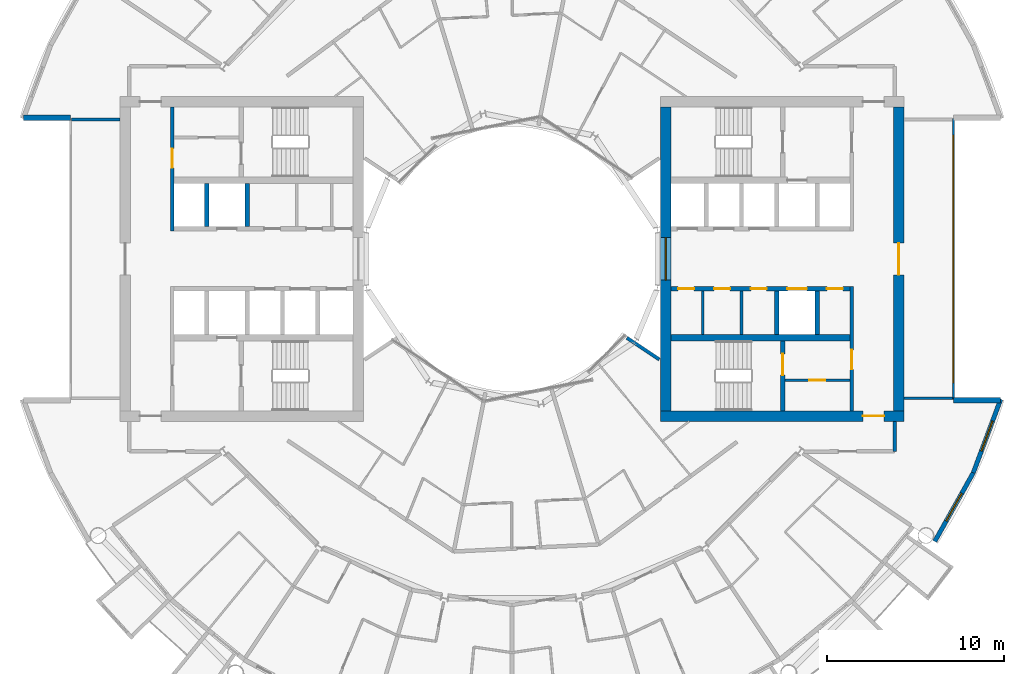
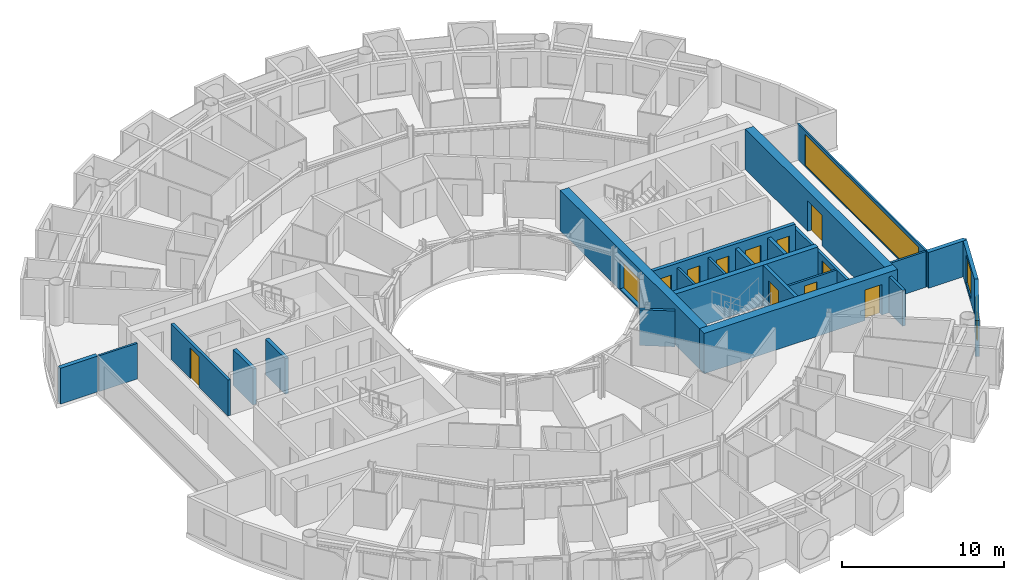
# One storey, part 18 of 26: 24 walls, 11 doors, 4 windows, 15 openings.
"""IFC4 building model written with IfcOpenShell, lengths in metres."""

from ifc_helpers import new_model, si_unit, direction, frame, frame_2d, origin, place, context, subcontext, project, spatial, rectangle, extrude, material, layer, layer_set, type_object, element, fill, save


model = new_model("IFC4")

# Units and contexts
model_context = context("Model", 3, precision=1e-05, world=origin(), true_north=direction((0.0, 1.0)))
body_context = subcontext(model_context, "Body", "Model", "MODEL_VIEW")
ifc_project = project(units=[si_unit("LENGTHUNIT", "METRE"), si_unit("AREAUNIT", "SQUARE_METRE"), si_unit("VOLUMEUNIT", "CUBIC_METRE"), si_unit("PLANEANGLEUNIT", "RADIAN"), si_unit("MASSUNIT", "GRAM", prefix="KILO")], contexts=[model_context])

# Site, building, storey
site_placement = place(None, origin())
site = spatial("IfcSite", under=ifc_project, at=site_placement, CompositionType="ELEMENT")
building_placement = place(site_placement, origin())
building = spatial("IfcBuilding", under=site, at=building_placement, Name="Maasbend Ring Residences", CompositionType="ELEMENT")
storey_placement = place(building_placement, frame((0.0, 0.0, 123.85009765625)))
storey = spatial("IfcBuildingStorey", under=building, at=storey_placement, Name="L35", CompositionType="ELEMENT", Elevation=123.85009765625)

# Wall, openings, doors
ifc_material_1 = material(Name="Concrete C60/75", Category="concrete")
ifc_layer_1 = layer(ifc_material_1, 0.25)
ifc_layer_set_1 = layer_set([ifc_layer_1], Name="Concrete C60/75")
wall_type_1 = type_object("IfcWallType", Name="CORE WALL 250 C60/75", PredefinedType="SHEAR", material=ifc_layer_set_1)
wall_1_placement = place(storey_placement, frame((19.14990234375, -1.699951171875, 0.0), z_axis=(0.0, 0.0, 1.0), x_axis=(-1.0, 0.0, 0.0)))
wall_1 = element("IfcWall", 1, at=wall_1_placement, inside=storey, type_object=wall_type_1, Name="L35 core E wall SPS", PredefinedType="SHEAR", context=body_context, shape_type="SweptSolid", body=[
    extrude(rectangle(XDim=10.14990234375, YDim=0.25, at=frame_2d((5.074951171875, 0.0))), origin(), (0.0, 0.0, 1.0), 3.0498046875),
])
opening_1_placement = place(wall_1_placement, frame((2.449951171875, 0.0, 0.0)))
opening_1 = element("IfcOpeningElement", 2, at=opening_1_placement, cuts=wall_1, Name="Opening LD-E3505", PredefinedType="OPENING", context=body_context, shape_type="SweptSolid", body=[
    extrude(rectangle(XDim=1.10009765625, YDim=2.300048828125, at=frame_2d((0.550048828125, 1.14990234375))), frame((0.0, 0.135009765625, 0.0), z_axis=(0.0, -1.0, 0.0), x_axis=(1.0, 0.0, 0.0)), (0.0, 0.0, 1.0), 0.27001953125),
])
opening_2_placement = place(wall_1_placement, frame((8.83740234375, 0.0, 0.0)))
opening_2 = element("IfcOpeningElement", 3, at=opening_2_placement, cuts=wall_1, Name="Opening D-E3506", PredefinedType="OPENING", context=body_context, shape_type="SweptSolid", body=[
    extrude(rectangle(XDim=0.89990234375, YDim=2.300048828125, at=frame_2d((0.449951171875, 1.14990234375))), frame((0.0, 0.135009765625, 0.0), z_axis=(0.0, -1.0, 0.0), x_axis=(1.0, 0.0, 0.0)), (0.0, 0.0, 1.0), 0.27001953125),
])
opening_3_placement = place(wall_1_placement, frame((6.800048828125, 0.0, 0.0)))
opening_3 = element("IfcOpeningElement", 4, at=opening_3_placement, cuts=wall_1, Name="Opening D-E3507", PredefinedType="OPENING", context=body_context, shape_type="SweptSolid", body=[
    extrude(rectangle(XDim=0.89990234375, YDim=2.300048828125, at=frame_2d((0.449951171875, 1.14990234375))), frame((0.0, 0.135009765625, 0.0), z_axis=(0.0, -1.0, 0.0), x_axis=(1.0, 0.0, 0.0)), (0.0, 0.0, 1.0), 0.27001953125),
])
opening_4_placement = place(wall_1_placement, frame((4.72509765625, 0.0, 0.0)))
opening_4 = element("IfcOpeningElement", 5, at=opening_4_placement, cuts=wall_1, Name="Opening D-E3508", PredefinedType="OPENING", context=body_context, shape_type="SweptSolid", body=[
    extrude(rectangle(XDim=0.89990234375, YDim=2.300048828125, at=frame_2d((0.449951171875, 1.14990234375))), frame((0.0, 0.135009765625, 0.0), z_axis=(0.0, -1.0, 0.0), x_axis=(1.0, 0.0, 0.0)), (0.0, 0.0, 1.0), 0.27001953125),
])
opening_5_placement = place(wall_1_placement, frame((0.41259765625, 0.0, 0.0)))
opening_5 = element("IfcOpeningElement", 6, at=opening_5_placement, cuts=wall_1, Name="Opening D-E3509", PredefinedType="OPENING", context=body_context, shape_type="SweptSolid", body=[
    extrude(rectangle(XDim=0.89990234375, YDim=2.300048828125, at=frame_2d((0.449951171875, 1.14990234375))), frame((0.0, 0.135009765625, 0.0), z_axis=(0.0, -1.0, 0.0), x_axis=(1.0, 0.0, 0.0)), (0.0, 0.0, 1.0), 0.27001953125),
])
ifc_material_2 = material(Name="Stainless steel 316", Category="steel")
door_type_1 = type_object("IfcDoorType", Name="LANDING DOOR 1100 X 2300 FD60", OperationType="DOUBLE_DOOR_SLIDING", PredefinedType="DOOR", material=ifc_material_2)
door_1_placement = place(opening_1_placement, origin())
door_1 = element("IfcDoor", 7, at=door_1_placement, inside=storey, type_object=door_type_1, Name="Landing door SV-E L35", OperationType="DOUBLE_DOOR_SLIDING", OverallHeight=2.300048828125, OverallWidth=1.10009765625, PredefinedType="DOOR", context=body_context, shape_type="SweptSolid", body=[
    extrude(rectangle(XDim=1.10009765625, YDim=2.300048828125, at=frame_2d((0.550048828125, 1.14990234375))), frame((0.0, 0.02490234375, 0.0), z_axis=(0.0, -1.0, 0.0), x_axis=(1.0, 0.0, 0.0)), (0.0, 0.0, 1.0), 0.050048828125),
])
fill(opening_1, door_1)
ifc_material_3 = material(Name="Steel, powder coated", Category="steel")
door_type_2 = type_object("IfcDoorType", Name="ROOM DOOR 900 X 2300 FD30S", OperationType="NOTDEFINED", PredefinedType="DOOR", material=ifc_material_3)
door_2_placement = place(opening_2_placement, origin())
door_2 = element("IfcDoor", 8, at=door_2_placement, inside=storey, type_object=door_type_2, Name="Room door L35", OperationType="SINGLE_SWING_LEFT", OverallHeight=2.300048828125, OverallWidth=0.89990234375, PredefinedType="DOOR", context=body_context, shape_type="SweptSolid", body=[
    extrude(rectangle(XDim=0.89990234375, YDim=2.300048828125, at=frame_2d((0.449951171875, 1.14990234375))), frame((0.0, 0.02490234375, 0.0), z_axis=(0.0, -1.0, 0.0), x_axis=(1.0, 0.0, 0.0)), (0.0, 0.0, 1.0), 0.050048828125),
])
fill(opening_2, door_2)
door_3_placement = place(opening_3_placement, origin())
door_3 = element("IfcDoor", 9, at=door_3_placement, inside=storey, type_object=door_type_2, Name="Room door L35", OperationType="SINGLE_SWING_LEFT", OverallHeight=2.300048828125, OverallWidth=0.89990234375, PredefinedType="DOOR", context=body_context, shape_type="SweptSolid", body=[
    extrude(rectangle(XDim=0.89990234375, YDim=2.300048828125, at=frame_2d((0.449951171875, 1.14990234375))), frame((0.0, 0.02490234375, 0.0), z_axis=(0.0, -1.0, 0.0), x_axis=(1.0, 0.0, 0.0)), (0.0, 0.0, 1.0), 0.050048828125),
])
fill(opening_3, door_3)
door_4_placement = place(opening_4_placement, origin())
door_4 = element("IfcDoor", 10, at=door_4_placement, inside=storey, type_object=door_type_2, Name="Room door L35", OperationType="SINGLE_SWING_LEFT", OverallHeight=2.300048828125, OverallWidth=0.89990234375, PredefinedType="DOOR", context=body_context, shape_type="SweptSolid", body=[
    extrude(rectangle(XDim=0.89990234375, YDim=2.300048828125, at=frame_2d((0.449951171875, 1.14990234375))), frame((0.0, 0.02490234375, 0.0), z_axis=(0.0, -1.0, 0.0), x_axis=(1.0, 0.0, 0.0)), (0.0, 0.0, 1.0), 0.050048828125),
])
fill(opening_4, door_4)
door_5_placement = place(opening_5_placement, origin())
door_5 = element("IfcDoor", 11, at=door_5_placement, inside=storey, type_object=door_type_2, Name="Room door L35", OperationType="SINGLE_SWING_RIGHT", OverallHeight=2.300048828125, OverallWidth=0.89990234375, PredefinedType="DOOR", context=body_context, shape_type="SweptSolid", body=[
    extrude(rectangle(XDim=0.89990234375, YDim=2.300048828125, at=frame_2d((0.449951171875, 1.14990234375))), frame((0.0, 0.02490234375, 0.0), z_axis=(0.0, -1.0, 0.0), x_axis=(1.0, 0.0, 0.0)), (0.0, 0.0, 1.0), 0.050048828125),
])
fill(opening_5, door_5)

# Wall, opening, door
wall_2_placement = place(storey_placement, frame((15.324951171875, -8.60009765625, 0.0), z_axis=(0.0, 0.0, 1.0), x_axis=(0.0, 1.0, 0.0)))
wall_2 = element("IfcWall", 12, at=wall_2_placement, inside=storey, type_object=wall_type_1, Name="L35 core E wall STES", PredefinedType="SHEAR", context=body_context, shape_type="SweptSolid", body=[
    extrude(rectangle(XDim=3.9501953125, YDim=0.25, at=frame_2d((1.97509765625, 0.0))), origin(), (0.0, 0.0, 1.0), 3.0498046875),
])
opening_6_placement = place(wall_2_placement, frame((2.02490234375, 0.0, 0.0)))
opening_6 = element("IfcOpeningElement", 13, at=opening_6_placement, cuts=wall_2, Name="Opening D-E3512", PredefinedType="OPENING", context=body_context, shape_type="SweptSolid", body=[
    extrude(rectangle(XDim=1.199951171875, YDim=2.300048828125, at=frame_2d((0.60009765625, 1.14990234375))), frame((0.0, 0.135009765625, 0.0), z_axis=(0.0, -1.0, 0.0), x_axis=(1.0, 0.0, 0.0)), (0.0, 0.0, 1.0), 0.27001953125),
])
ifc_material_4 = material(Name="Steel, powder coated", Category="steel")
door_type_3 = type_object("IfcDoorType", Name="STAIR DOOR 1200 X 2300 FD60", OperationType="NOTDEFINED", PredefinedType="DOOR", material=ifc_material_4)
door_6_placement = place(opening_6_placement, origin())
door_6 = element("IfcDoor", 14, at=door_6_placement, inside=storey, type_object=door_type_3, Name="Stair door ST-E L35", OperationType="SINGLE_SWING_LEFT", OverallHeight=2.300048828125, OverallWidth=1.199951171875, PredefinedType="DOOR", context=body_context, shape_type="SweptSolid", body=[
    extrude(rectangle(XDim=1.199951171875, YDim=2.300048828125, at=frame_2d((0.60009765625, 1.14990234375))), frame((0.0, 0.02490234375, 0.0), z_axis=(0.0, -1.0, 0.0), x_axis=(1.0, 0.0, 0.0)), (0.0, 0.0, 1.0), 0.050048828125),
])
fill(opening_6, door_6)

# Wall
ifc_material_5 = material(Name="Concrete C60/75", Category="concrete")
ifc_layer_2 = layer(ifc_material_5, 0.375)
ifc_layer_set_2 = layer_set([ifc_layer_2], Name="Concrete C60/75")
wall_type_2 = type_object("IfcWallType", Name="CORE WALL 375 C60/75", PredefinedType="SHEAR", material=ifc_layer_set_2)
wall_3_placement = place(storey_placement, frame((9.0, -4.46240234375, 0.0), z_axis=(0.0, 0.0, 1.0), x_axis=(1.0, 0.0, 0.0)))
element("IfcWall", 15, at=wall_3_placement, inside=storey, type_object=wall_type_2, Name="L35 core E wall BS", PredefinedType="SHEAR", context=body_context, shape_type="SweptSolid", body=[
    extrude(rectangle(XDim=10.14990234375, YDim=0.375, at=frame_2d((5.074951171875, 0.0))), origin(), (0.0, 0.0, 1.0), 3.0498046875),
])

# Wall, opening, door
ifc_material_6 = material(Name="Concrete C60/75", Category="concrete")
ifc_layer_3 = layer(ifc_material_6, 0.60009765625)
ifc_layer_set_3 = layer_set([ifc_layer_3], Name="Concrete C60/75")
wall_type_3 = type_object("IfcWallType", Name="CORE WALL 600 C60/75", PredefinedType="SHEAR", material=ifc_layer_set_3)
wall_4_placement = place(storey_placement, frame((8.39990234375, -8.89990234375, 0.0), z_axis=(0.0, 0.0, 1.0), x_axis=(1.0, 0.0, 0.0)))
wall_4 = element("IfcWall", 16, at=wall_4_placement, inside=storey, type_object=wall_type_3, Name="L35 core E wall PS", PredefinedType="SHEAR", context=body_context, shape_type="SweptSolid", body=[
    extrude(rectangle(XDim=13.800048828125, YDim=0.60009765625, at=frame_2d((6.89990234375, 0.0))), origin(), (0.0, 0.0, 1.0), 3.0498046875),
])
opening_7_placement = place(wall_4_placement, frame((11.47509765625, 0.0, 0.0)))
opening_7 = element("IfcOpeningElement", 17, at=opening_7_placement, cuts=wall_4, Name="Opening D-E3516", PredefinedType="OPENING", context=body_context, shape_type="SweptSolid", body=[
    extrude(rectangle(XDim=1.199951171875, YDim=2.300048828125, at=frame_2d((0.60009765625, 1.14990234375))), frame((0.0, 0.31005859375, 0.0), z_axis=(0.0, -1.0, 0.0), x_axis=(1.0, 0.0, 0.0)), (0.0, 0.0, 1.0), 0.6201171875),
])
ifc_material_7 = material(Name="Steel, powder coated", Category="steel")
door_type_4 = type_object("IfcDoorType", Name="CORRIDOR DOOR 1200 X 2300 FD30S", OperationType="NOTDEFINED", PredefinedType="DOOR", material=ifc_material_7)
door_7_placement = place(opening_7_placement, origin())
door_7 = element("IfcDoor", 18, at=door_7_placement, inside=storey, type_object=door_type_4, Name="Corridor door L35", OperationType="SINGLE_SWING_LEFT", OverallHeight=2.300048828125, OverallWidth=1.199951171875, PredefinedType="DOOR", context=body_context, shape_type="SweptSolid", body=[
    extrude(rectangle(XDim=1.199951171875, YDim=2.300048828125, at=frame_2d((0.60009765625, 1.14990234375))), frame((0.0, 0.02490234375, 0.0), z_axis=(0.0, -1.0, 0.0), x_axis=(1.0, 0.0, 0.0)), (0.0, 0.0, 1.0), 0.050048828125),
])
fill(opening_7, door_7)

wall_5_placement = place(storey_placement, frame((21.89990234375, 8.60009765625, 0.0), z_axis=(0.0, 0.0, 1.0), x_axis=(0.0, -1.0, 0.0)))
wall_5 = element("IfcWall", 19, at=wall_5_placement, inside=storey, type_object=wall_type_3, Name="L35 core E wall POUT", PredefinedType="SHEAR", context=body_context, shape_type="SweptSolid", body=[
    extrude(rectangle(XDim=17.2001953125, YDim=0.60009765625, at=frame_2d((8.60009765625, 0.0))), origin(), (0.0, 0.0, 1.0), 3.0498046875),
])
opening_8_placement = place(wall_5_placement, frame((7.699951171875, 0.0, 0.0)))
opening_8 = element("IfcOpeningElement", 20, at=opening_8_placement, cuts=wall_5, Name="Opening D-E3517", PredefinedType="OPENING", context=body_context, shape_type="SweptSolid", body=[
    extrude(rectangle(XDim=1.800048828125, YDim=2.300048828125, at=frame_2d((0.89990234375, 1.14990234375))), frame((0.0, 0.31005859375, 0.0), z_axis=(0.0, -1.0, 0.0), x_axis=(1.0, 0.0, 0.0)), (0.0, 0.0, 1.0), 0.6201171875),
])
ifc_material_8 = material(Name="Aluminium frame, clear glass", Category="aluminium")
door_type_5 = type_object("IfcDoorType", Name="ENTRANCE DOOR 1800 X 2300 FD60", OperationType="NOTDEFINED", PredefinedType="DOOR", material=ifc_material_8)
door_8_placement = place(opening_8_placement, origin())
door_8 = element("IfcDoor", 21, at=door_8_placement, inside=storey, type_object=door_type_5, Name="Lobby glazed door L35", OperationType="SINGLE_SWING_LEFT", OverallHeight=2.300048828125, OverallWidth=1.800048828125, PredefinedType="DOOR", context=body_context, shape_type="SweptSolid", body=[
    extrude(rectangle(XDim=1.800048828125, YDim=2.300048828125, at=frame_2d((0.89990234375, 1.14990234375))), frame((0.0, 0.02490234375, 0.0), z_axis=(0.0, -1.0, 0.0), x_axis=(1.0, 0.0, 0.0)), (0.0, 0.0, 1.0), 0.050048828125),
])
fill(opening_8, door_8)

# Wall, opening, window
wall_6_placement = place(storey_placement, frame((8.699951171875, -8.60009765625, 0.0), z_axis=(0.0, 0.0, 1.0), x_axis=(0.0, 1.0, 0.0)))
wall_6 = element("IfcWall", 22, at=wall_6_placement, inside=storey, type_object=wall_type_3, Name="L35 core E wall PIN", PredefinedType="SHEAR", context=body_context, shape_type="SweptSolid", body=[
    extrude(rectangle(XDim=17.2001953125, YDim=0.60009765625, at=frame_2d((8.60009765625, 0.0))), origin(), (0.0, 0.0, 1.0), 3.0498046875),
])
opening_9_placement = place(wall_6_placement, frame((7.39990234375, 0.0, 0.10009765625)))
opening_9 = element("IfcOpeningElement", 23, at=opening_9_placement, cuts=wall_6, Name="Opening W-E3501", PredefinedType="OPENING", context=body_context, shape_type="SweptSolid", body=[
    extrude(rectangle(XDim=2.39990234375, YDim=2.199951171875, at=frame_2d((1.199951171875, 1.10009765625))), frame((0.0, 0.31005859375, 0.0), z_axis=(0.0, -1.0, 0.0), x_axis=(1.0, 0.0, 0.0)), (0.0, 0.0, 1.0), 0.6201171875),
])
ifc_material_9 = material(Name="Aluminium frame and clear glass", Category="aluminium")
window_type_1 = type_object("IfcWindowType", Name="FIXED WINDOW 2400 X 2200", PartitioningType="SINGLE_PANEL", PredefinedType="WINDOW", material=ifc_material_9)
window_1_placement = place(opening_9_placement, origin())
window_1 = element("IfcWindow", 24, at=window_1_placement, inside=storey, type_object=window_type_1, Name="Lobby window L35", OverallHeight=2.199951171875, OverallWidth=2.39990234375, PartitioningType="SINGLE_PANEL", PredefinedType="WINDOW", context=body_context, shape_type="SweptSolid", body=[
    extrude(rectangle(XDim=2.39990234375, YDim=2.199951171875, at=frame_2d((1.199951171875, 1.10009765625))), frame((0.0, 0.030029296875, 0.0), z_axis=(0.0, -1.0, 0.0), x_axis=(1.0, 0.0, 0.0)), (0.0, 0.0, 1.0), 0.06005859375),
])
fill(opening_9, window_1)

# Wall
ifc_material_10 = material(Name="Concrete C30/37", Category="concrete")
ifc_layer_4 = layer(ifc_material_10, 0.199951171875)
ifc_layer_set_4 = layer_set([ifc_layer_4], Name="Concrete C30/37")
wall_type_4 = type_object("IfcWallType", Name="CORRIDOR WALL 200 CONCRETE", PredefinedType="PARTITIONING", material=ifc_layer_set_4)
wall_7_placement = place(storey_placement, frame((21.675048828125, -10.89990234375, 0.0), z_axis=(0.0, 0.0, 1.0), x_axis=(0.0, 1.0, 0.0)))
element("IfcWall", 25, at=wall_7_placement, inside=storey, type_object=wall_type_4, Name="U-L35-w013", PredefinedType="PARTITIONING", context=body_context, shape_type="SweptSolid", body=[
    extrude(rectangle(XDim=1.699951171875, YDim=0.199951171875, at=frame_2d((0.85009765625, 0.0))), origin(), (0.0, 0.0, 1.0), 2.699951171875),
])

# Wall, opening, window
ifc_material_11 = material(Name="Aluminium clad insulated panel", Category="aluminium")
ifc_layer_5 = layer(ifc_material_11, 0.25)
ifc_layer_set_5 = layer_set([ifc_layer_5], Name="EW-HORN")
wall_type_5 = type_object("IfcWallType", Name="EW-HORN", PredefinedType="SOLIDWALL", material=ifc_layer_set_5)
wall_8_placement = place(storey_placement, frame((23.946044921875, -16.0, 0.0), z_axis=(0.0, 0.0, 1.0), x_axis=(0.489696356642, 0.871893042919, 0.0)))
wall_8 = element("IfcWall", 26, at=wall_8_placement, inside=storey, type_object=wall_type_5, Name="Horn wall 2.1", PredefinedType="SOLIDWALL", context=body_context, shape_type="SweptSolid", body=[
    extrude(rectangle(XDim=4.45361328125, YDim=0.25, at=frame_2d((2.226806640625, 0.0))), origin(), (0.0, 0.0, 1.0), 2.699951171875),
])
opening_10_placement = place(wall_8_placement, frame((1.32666015625, 0.0, 0.300048828125)))
opening_10 = element("IfcOpeningElement", 27, at=opening_10_placement, cuts=wall_8, Name="Opening W-BX", PredefinedType="OPENING", context=body_context, shape_type="SweptSolid", body=[
    extrude(rectangle(XDim=1.800048828125, YDim=2.10009765625, at=frame_2d((0.89990234375, 1.050048828125))), frame((0.0, 0.135009765625, 0.0), z_axis=(0.0, -1.0, 0.0), x_axis=(1.0, 0.0, 0.0)), (0.0, 0.0, 1.0), 0.27001953125),
])
ifc_material_12 = material(Name="Aluminium and clear glass", Category="aluminium")
window_type_2 = type_object("IfcWindowType", Name="W-BX", PartitioningType="DOUBLE_PANEL_VERTICAL", PredefinedType="WINDOW", material=ifc_material_12)
window_2_placement = place(opening_10_placement, origin())
window_2 = element("IfcWindow", 28, at=window_2_placement, inside=storey, type_object=window_type_2, Name="Horn window 2.1", OverallHeight=2.10009765625, OverallWidth=1.800048828125, PartitioningType="SINGLE_PANEL", PredefinedType="WINDOW", context=body_context, shape_type="SweptSolid", body=[
    extrude(rectangle(XDim=1.800048828125, YDim=2.10009765625, at=frame_2d((0.89990234375, 1.050048828125))), frame((0.0, 0.030029296875, 0.0), z_axis=(0.0, -1.0, 0.0), x_axis=(1.0, 0.0, 0.0)), (0.0, 0.0, 1.0), 0.06005859375),
])
fill(opening_10, window_2)

wall_9_placement = place(storey_placement, frame((26.126953125, -12.116943359375, 0.0), z_axis=(0.0, 0.0, 1.0), x_axis=(0.349247811493, 0.937030397675, 0.0)))
wall_9 = element("IfcWall", 29, at=wall_9_placement, inside=storey, type_object=wall_type_5, Name="Horn wall 2.2", PredefinedType="SOLIDWALL", context=body_context, shape_type="SweptSolid", body=[
    extrude(rectangle(XDim=4.4521484375, YDim=0.25, at=frame_2d((2.22607421875, 0.0))), origin(), (0.0, 0.0, 1.0), 2.699951171875),
])
opening_11_placement = place(wall_9_placement, frame((1.32666015625, 0.0, 0.300048828125)))
opening_11 = element("IfcOpeningElement", 30, at=opening_11_placement, cuts=wall_9, Name="Opening W-BX", PredefinedType="OPENING", context=body_context, shape_type="SweptSolid", body=[
    extrude(rectangle(XDim=1.800048828125, YDim=2.10009765625, at=frame_2d((0.89990234375, 1.050048828125))), frame((0.0, 0.135009765625, 0.0), z_axis=(0.0, -1.0, 0.0), x_axis=(1.0, 0.0, 0.0)), (0.0, 0.0, 1.0), 0.27001953125),
])
window_3_placement = place(opening_11_placement, origin())
window_3 = element("IfcWindow", 31, at=window_3_placement, inside=storey, type_object=window_type_2, Name="Horn window 2.2", OverallHeight=2.10009765625, OverallWidth=1.800048828125, PartitioningType="SINGLE_PANEL", PredefinedType="WINDOW", context=body_context, shape_type="SweptSolid", body=[
    extrude(rectangle(XDim=1.800048828125, YDim=2.10009765625, at=frame_2d((0.89990234375, 1.050048828125))), frame((0.0, 0.030029296875, 0.0), z_axis=(0.0, -1.0, 0.0), x_axis=(1.0, 0.0, 0.0)), (0.0, 0.0, 1.0), 0.06005859375),
])
fill(opening_11, window_3)

# Walls
ifc_material_13 = material(Name="Aluminium clad insulated panel", Category="aluminium")
ifc_layer_6 = layer(ifc_material_13, 0.300048828125)
ifc_layer_set_6 = layer_set([ifc_layer_6], Name="EW-RET")
wall_type_6 = type_object("IfcWallType", Name="EW-RET", PredefinedType="SOLIDWALL", material=ifc_layer_set_6)
for number, where, z_axis, x_axis, name in (
    (32, (25.0, -8.0, 0.0), (0.0, 0.0, 1.0), (1.0, 0.0, 0.0), "Notch return wall east south"),
    (33, (-25.0, 8.0, 0.0), (0.0, 0.0, 1.0), (-1.0, 0.0, 0.0), "Notch return wall west north"),
):
    element("IfcWall", number, at=place(storey_placement, frame(where, z_axis=z_axis, x_axis=x_axis)), inside=storey, type_object=wall_type_6, Name=name, PredefinedType="SOLIDWALL", context=body_context, shape_type="SweptSolid", body=[
        extrude(rectangle(XDim=2.6669921875, YDim=0.300048828125, at=frame_2d((1.33349609375, 0.0))), origin(), (0.0, 0.0, 1.0), 2.699951171875),
    ])

# Wall, opening, window
ifc_material_14 = material(Name="Aluminium frame and clear glass", Category="aluminium")
ifc_layer_7 = layer(ifc_material_14, 0.1201171875)
ifc_layer_set_7 = layer_set([ifc_layer_7], Name="GLAZED SCREEN WALL 120 EI 60")
wall_type_7 = type_object("IfcWallType", Name="GLAZED SCREEN WALL 120 EI 60", PredefinedType="PARTITIONING", material=ifc_layer_set_7)
wall_10_placement = place(storey_placement, frame((25.0, -7.949951171875, 0.0), z_axis=(0.0, 0.0, 1.0), x_axis=(0.0, 1.0, 0.0)))
wall_10 = element("IfcWall", 34, at=wall_10_placement, inside=storey, type_object=wall_type_7, Name="L35 core E wall FACE", PredefinedType="PARTITIONING", context=body_context, shape_type="SweptSolid", body=[
    extrude(rectangle(XDim=15.89990234375, YDim=0.1201171875, at=frame_2d((7.949951171875, 0.0))), origin(), (0.0, 0.0, 1.0), 2.699951171875),
])
opening_12_placement = place(wall_10_placement, frame((0.949951171875, 0.0, 0.10009765625)))
opening_12 = element("IfcOpeningElement", 35, at=opening_12_placement, cuts=wall_10, Name="Opening W-E3502", PredefinedType="OPENING", context=body_context, shape_type="SweptSolid", body=[
    extrude(rectangle(XDim=14.0, YDim=2.35009765625, at=frame_2d((7.0, 1.175048828125))), frame((0.0, 0.070068359375, 0.0), z_axis=(0.0, -1.0, 0.0), x_axis=(1.0, 0.0, 0.0)), (0.0, 0.0, 1.0), 0.14013671875),
])
ifc_material_15 = material(Name="Aluminium frame and clear glass", Category="aluminium")
window_type_3 = type_object("IfcWindowType", Name="FIXED WINDOW 14000 X 2350", PartitioningType="SINGLE_PANEL", PredefinedType="WINDOW", material=ifc_material_15)
window_4_placement = place(opening_12_placement, origin())
window_4 = element("IfcWindow", 36, at=window_4_placement, inside=storey, type_object=window_type_3, Name="Lobby window L35", OverallHeight=2.35009765625, OverallWidth=14.0, PartitioningType="SINGLE_PANEL", PredefinedType="WINDOW", context=body_context, shape_type="SweptSolid", body=[
    extrude(rectangle(XDim=14.0, YDim=2.35009765625, at=frame_2d((7.0, 1.175048828125))), frame((0.0, 0.030029296875, 0.0), z_axis=(0.0, -1.0, 0.0), x_axis=(1.0, 0.0, 0.0)), (0.0, 0.0, 1.0), 0.06005859375),
])
fill(opening_12, window_4)

# Walls
ifc_material_16 = material(Name="Gypsum board on steel studs", Category="steel")
ifc_layer_8 = layer(ifc_material_16, 0.14990234375)
ifc_layer_set_8 = layer_set([ifc_layer_8], Name="PARTITION 150 EI 60")
wall_type_8 = type_object("IfcWallType", Name="PARTITION 150 EI 60", PredefinedType="PARTITIONING", material=ifc_layer_set_8)
for number, where, z_axis, x_axis, name in (
    (37, (10.800048828125, -1.824951171875, 0.0), (0.0, 0.0, 1.0), (0.0, -1.0, 0.0), "L35 core E wall PRS1080"),
    (38, (13.0, -1.824951171875, 0.0), (0.0, 0.0, 1.0), (0.0, -1.0, 0.0), "L35 core E wall PRS1300"),
):
    element("IfcWall", number, at=place(storey_placement, frame(where, z_axis=z_axis, x_axis=x_axis)), inside=storey, type_object=wall_type_8, Name=name, PredefinedType="PARTITIONING", context=body_context, shape_type="SweptSolid", body=[
        extrude(rectangle(XDim=2.449951171875, YDim=0.14990234375, at=frame_2d((1.22509765625, 0.0))), origin(), (0.0, 0.0, 1.0), 2.699951171875),
    ])

# Wall, opening, door
wall_11_placement = place(storey_placement, frame((15.449951171875, -6.875, 0.0), z_axis=(0.0, 0.0, 1.0), x_axis=(1.0, 0.0, 0.0)))
wall_11 = element("IfcWall", 39, at=wall_11_placement, inside=storey, type_object=wall_type_8, Name="L35 core E wall RHS", PredefinedType="PARTITIONING", context=body_context, shape_type="SweptSolid", body=[
    extrude(rectangle(XDim=3.699951171875, YDim=0.14990234375, at=frame_2d((1.85009765625, 0.0))), origin(), (0.0, 0.0, 1.0), 2.699951171875),
])
opening_13_placement = place(wall_11_placement, frame((1.39990234375, 0.0, 0.0)))
opening_13 = element("IfcOpeningElement", 40, at=opening_13_placement, cuts=wall_11, Name="Opening D-E3510", PredefinedType="OPENING", context=body_context, shape_type="SweptSolid", body=[
    extrude(rectangle(XDim=0.89990234375, YDim=2.300048828125, at=frame_2d((0.449951171875, 1.14990234375))), frame((0.0, 0.0849609375, 0.0), z_axis=(0.0, -1.0, 0.0), x_axis=(1.0, 0.0, 0.0)), (0.0, 0.0, 1.0), 0.169921875),
])
ifc_material_17 = material(Name="Steel, powder coated", Category="steel")
door_type_6 = type_object("IfcDoorType", Name="RISER DOOR 900 X 2300 FD60", OperationType="NOTDEFINED", PredefinedType="DOOR", material=ifc_material_17)
door_9_placement = place(opening_13_placement, origin())
door_9 = element("IfcDoor", 41, at=door_9_placement, inside=storey, type_object=door_type_6, Name="Riser door L35", OperationType="SINGLE_SWING_LEFT", OverallHeight=2.300048828125, OverallWidth=0.89990234375, PredefinedType="DOOR", context=body_context, shape_type="SweptSolid", body=[
    extrude(rectangle(XDim=0.89990234375, YDim=2.300048828125, at=frame_2d((0.449951171875, 1.14990234375))), frame((0.0, 0.02490234375, 0.0), z_axis=(0.0, -1.0, 0.0), x_axis=(1.0, 0.0, 0.0)), (0.0, 0.0, 1.0), 0.050048828125),
])
fill(opening_13, door_9)

# Walls
for number, where, z_axis, x_axis, name in (
    (42, (22.199951171875, -7.89990234375, 0.0), (0.0, 0.0, 1.0), (1.0, 0.0, 0.0), "L35 core E wall CITS"),
    (43, (-22.199951171875, 7.89990234375, 0.0), (0.0, 0.0, 1.0), (-1.0, 0.0, 0.0), "L35 core W wall CITS"),
):
    element("IfcWall", number, at=place(storey_placement, frame(where, z_axis=z_axis, x_axis=x_axis)), inside=storey, type_object=wall_type_8, Name=name, PredefinedType="PARTITIONING", context=body_context, shape_type="SweptSolid", body=[
        extrude(rectangle(XDim=2.739990234375, YDim=0.14990234375, at=frame_2d((1.3701171875, 0.0))), origin(), (0.0, 0.0, 1.0), 2.699951171875),
    ])
ifc_material_18 = material(Name="Concrete C30/37", Category="concrete")
ifc_layer_9 = layer(ifc_material_18, 0.199951171875)
ifc_layer_set_9 = layer_set([ifc_layer_9], Name="Concrete C30/37")
wall_type_9 = type_object("IfcWallType", Name="PARTY WALL 200 CONCRETE", PredefinedType="PARTITIONING", material=ifc_layer_set_9)
wall_12_placement = place(storey_placement, frame((6.512939453125, -4.471923828125, 0.0), z_axis=(0.0, 0.0, 1.0), x_axis=(0.831333375071, -0.555774072347, 0.0)))
element("IfcWall", 44, at=wall_12_placement, inside=storey, type_object=wall_type_9, Name="U-L35-w035", PredefinedType="PARTITIONING", context=body_context, shape_type="SweptSolid", body=[
    extrude(rectangle(XDim=2.20263671875, YDim=0.199951171875, at=frame_2d((1.101318359375, 0.0))), origin(), (0.0, 0.0, 1.0), 2.699951171875),
])

# Wall, opening, door
ifc_material_19 = material(Name="Concrete C30/37", Category="concrete")
ifc_layer_10 = layer(ifc_material_19, 0.199951171875)
ifc_layer_set_10 = layer_set([ifc_layer_10], Name="Concrete C30/37")
wall_type_10 = type_object("IfcWallType", Name="SHAFT WALL 200 EI 120", PredefinedType="SOLIDWALL", material=ifc_layer_set_10)
wall_13_placement = place(storey_placement, frame((19.25, -8.60009765625, 0.0), z_axis=(0.0, 0.0, 1.0), x_axis=(0.0, 1.0, 0.0)))
wall_13 = element("IfcWall", 45, at=wall_13_placement, inside=storey, type_object=wall_type_10, Name="L35 core E wall ENDS", PredefinedType="SOLIDWALL", context=body_context, shape_type="SweptSolid", body=[
    extrude(rectangle(XDim=7.025146484375, YDim=0.199951171875, at=frame_2d((3.5126953125, 0.0))), origin(), (0.0, 0.0, 1.0), 2.699951171875),
])
opening_14_placement = place(wall_13_placement, frame((2.35009765625, 0.0, 0.0)))
opening_14 = element("IfcOpeningElement", 46, at=opening_14_placement, cuts=wall_13, Name="Opening D-E3514", PredefinedType="OPENING", context=body_context, shape_type="SweptSolid", body=[
    extrude(rectangle(XDim=1.10009765625, YDim=2.300048828125, at=frame_2d((0.550048828125, 1.14990234375))), frame((0.0, 0.10986328125, 0.0), z_axis=(0.0, -1.0, 0.0), x_axis=(1.0, 0.0, 0.0)), (0.0, 0.0, 1.0), 0.219970703125),
])
ifc_material_20 = material(Name="Steel, powder coated", Category="steel")
door_type_7 = type_object("IfcDoorType", Name="LOBBY DOOR 1100 X 2300 FD60", OperationType="NOTDEFINED", PredefinedType="DOOR", material=ifc_material_20)
door_10_placement = place(opening_14_placement, origin())
door_10 = element("IfcDoor", 47, at=door_10_placement, inside=storey, type_object=door_type_7, Name="Lobby door L35", OperationType="SINGLE_SWING_RIGHT", OverallHeight=2.300048828125, OverallWidth=1.10009765625, PredefinedType="DOOR", context=body_context, shape_type="SweptSolid", body=[
    extrude(rectangle(XDim=1.10009765625, YDim=2.300048828125, at=frame_2d((0.550048828125, 1.14990234375))), frame((0.0, 0.02490234375, 0.0), z_axis=(0.0, -1.0, 0.0), x_axis=(1.0, 0.0, 0.0)), (0.0, 0.0, 1.0), 0.050048828125),
])
fill(opening_14, door_10)

wall_14_placement = place(storey_placement, frame((-19.25, 8.60009765625, 0.0), z_axis=(0.0, 0.0, 1.0), x_axis=(0.0, -1.0, 0.0)))
wall_14 = element("IfcWall", 48, at=wall_14_placement, inside=storey, type_object=wall_type_10, Name="L35 core W wall ENDS", PredefinedType="SOLIDWALL", context=body_context, shape_type="SweptSolid", body=[
    extrude(rectangle(XDim=7.025146484375, YDim=0.199951171875, at=frame_2d((3.5126953125, 0.0))), origin(), (0.0, 0.0, 1.0), 2.699951171875),
])
opening_15_placement = place(wall_14_placement, frame((2.35009765625, 0.0, 0.0)))
opening_15 = element("IfcOpeningElement", 49, at=opening_15_placement, cuts=wall_14, Name="Opening D-W3513", PredefinedType="OPENING", context=body_context, shape_type="SweptSolid", body=[
    extrude(rectangle(XDim=1.10009765625, YDim=2.300048828125, at=frame_2d((0.550048828125, 1.14990234375))), frame((0.0, 0.10986328125, 0.0), z_axis=(0.0, -1.0, 0.0), x_axis=(1.0, 0.0, 0.0)), (0.0, 0.0, 1.0), 0.219970703125),
])
door_11_placement = place(opening_15_placement, origin())
door_11 = element("IfcDoor", 50, at=door_11_placement, inside=storey, type_object=door_type_7, Name="Lobby door L35", OperationType="SINGLE_SWING_RIGHT", OverallHeight=2.300048828125, OverallWidth=1.10009765625, PredefinedType="DOOR", context=body_context, shape_type="SweptSolid", body=[
    extrude(rectangle(XDim=1.10009765625, YDim=2.300048828125, at=frame_2d((0.550048828125, 1.14990234375))), frame((0.0, 0.02490234375, 0.0), z_axis=(0.0, -1.0, 0.0), x_axis=(1.0, 0.0, 0.0)), (0.0, 0.0, 1.0), 0.050048828125),
])
fill(opening_15, door_11)

# Walls
ifc_material_21 = material(Name="Concrete C30/37", Category="concrete")
ifc_layer_11 = layer(ifc_material_21, 0.25)
ifc_layer_set_11 = layer_set([ifc_layer_11], Name="Concrete C30/37")
wall_type_11 = type_object("IfcWallType", Name="SHAFT WALL 250 EI 120", PredefinedType="SOLIDWALL", material=ifc_layer_set_11)
for number, where, z_axis, x_axis, name in (
    (51, (15.0, -1.824951171875, 0.0), (0.0, 0.0, 1.0), (0.0, -1.0, 0.0), "L35 core E wall D150S"),
    (52, (17.300048828125, -1.824951171875, 0.0), (0.0, 0.0, 1.0), (0.0, -1.0, 0.0), "L35 core E wall D173S"),
    (53, (-15.0, 1.824951171875, 0.0), (0.0, 0.0, 1.0), (0.0, 1.0, 0.0), "L35 core W wall D150S"),
    (54, (-17.300048828125, 1.824951171875, 0.0), (0.0, 0.0, 1.0), (0.0, 1.0, 0.0), "L35 core W wall D173S"),
):
    element("IfcWall", number, at=place(storey_placement, frame(where, z_axis=z_axis, x_axis=x_axis)), inside=storey, type_object=wall_type_11, Name=name, PredefinedType="SOLIDWALL", context=body_context, shape_type="SweptSolid", body=[
        extrude(rectangle(XDim=2.449951171875, YDim=0.25, at=frame_2d((1.22509765625, 0.0))), origin(), (0.0, 0.0, 1.0), 2.699951171875),
    ])

save(model, "model.ifc")
